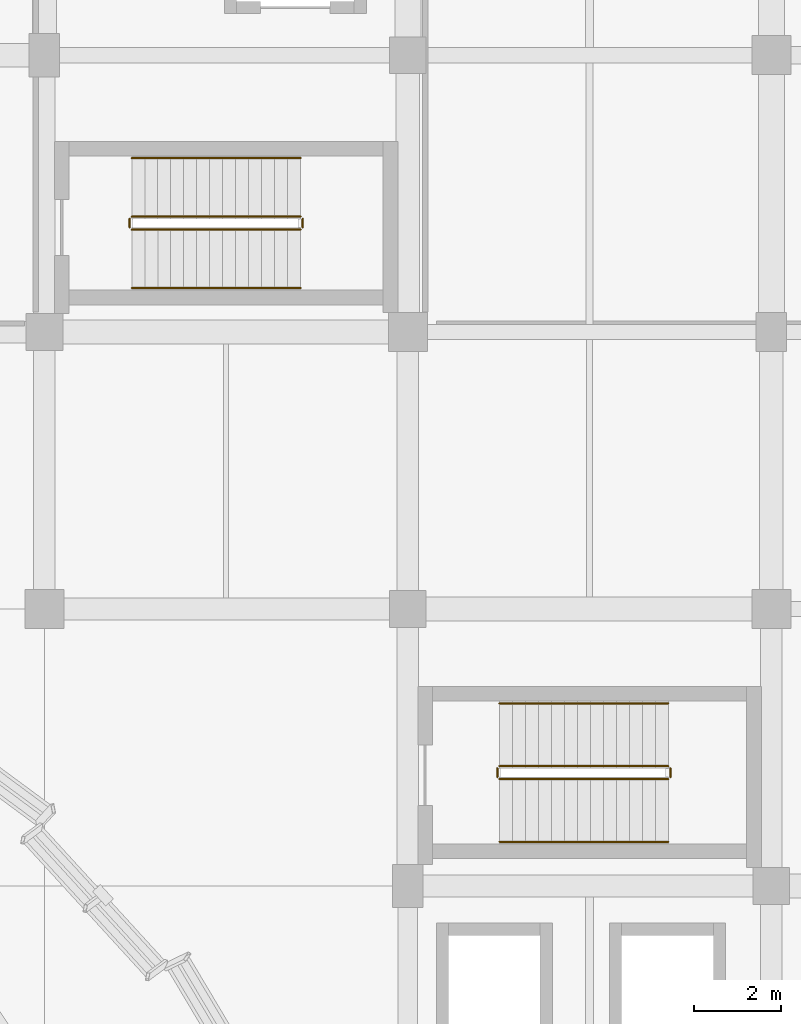
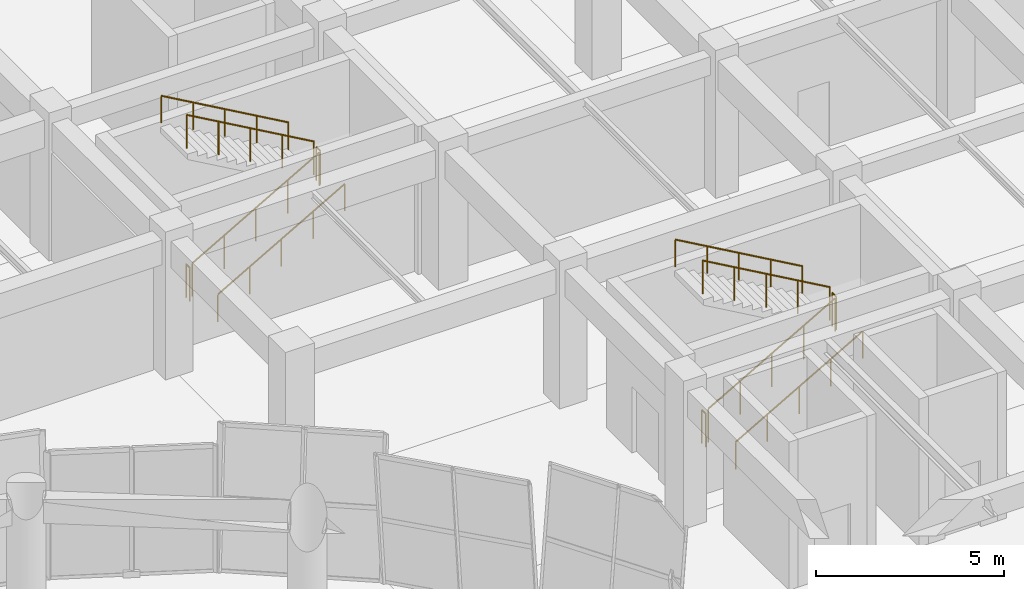
# One storey, part 69 of 72: 12 railings.
"""IFC4 building model written with IfcOpenShell, lengths in metres."""

from ifc_helpers import new_model, si_unit, direction, frame, origin, origin_2d, place, context, subcontext, project, spatial, circle, extrude, material, type_object, element, save


model = new_model("IFC4")

# Units and contexts
model_context = context("Model", 3, precision=1e-05, world=origin(), true_north=direction((0.0, 1.0)))
body_context = subcontext(model_context, "Body", "Model", "MODEL_VIEW")
ifc_project = project(units=[si_unit("LENGTHUNIT", "METRE"), si_unit("AREAUNIT", "SQUARE_METRE"), si_unit("VOLUMEUNIT", "CUBIC_METRE"), si_unit("PLANEANGLEUNIT", "RADIAN"), si_unit("MASSUNIT", "GRAM", prefix="KILO")], contexts=[model_context])

# Site, building, storey
site_placement = place(None, origin())
site = spatial("IfcSite", under=ifc_project, at=site_placement, CompositionType="ELEMENT")
building_placement = place(site_placement, origin())
building = spatial("IfcBuilding", under=site, at=building_placement, Name="Korsvaeld Concert Hall", CompositionType="ELEMENT")
storey_placement = place(building_placement, origin())
storey = spatial("IfcBuildingStorey", under=building, at=storey_placement, Name="L00", CompositionType="ELEMENT", Elevation=0.0)

# Railings
ifc_material_1 = material(Name="Powder-coated steel and bronze stair guardrail", Category="steel")
railing_type_1 = type_object("IfcRailingType", Name="RL-STAIR-GUARD-120", PredefinedType="GUARDRAIL", material=ifc_material_1)
railing_1_placement = place(storey_placement, frame((111.320068359375, 79.27001953125, 0.17138671875)))
element("IfcRailing", 1, at=railing_1_placement, inside=storey, type_object=railing_type_1, Name="L00 ST-K2 stair guard 1", PredefinedType="GUARDRAIL", context=body_context, shape_type="SweptSolid", body=[
    extrude(circle(Radius=0.02392578125, at=origin_2d()), frame((0.0, 0.0, 1.076171875), z_axis=(0.868243142124, 0.0, 0.496138938357), x_axis=(0.0, 1.0, 0.0)), (0.0, 0.0, 1.0), 4.49169921875),
    extrude(circle(Radius=0.02099609375, at=origin_2d()), origin(), (0.0, 0.0, 1.0), 1.052001953125),
    extrude(circle(Radius=0.02099609375, at=origin_2d()), frame((0.97509765625, 0.0, 0.55712890625)), (0.0, 0.0, 1.0), 1.052001953125),
    extrude(circle(Radius=0.02099609375, at=origin_2d()), frame((1.949951171875, 0.0, 1.1142578125)), (0.0, 0.0, 1.0), 1.052001953125),
    extrude(circle(Radius=0.02099609375, at=origin_2d()), frame((2.9248046875, 0.0, 1.67138671875)), (0.0, 0.0, 1.0), 1.052001953125),
    extrude(circle(Radius=0.02099609375, at=origin_2d()), frame((3.89990234375, 0.0, 2.228515625)), (0.0, 0.0, 1.0), 1.052001953125),
])
railing_2_placement = place(storey_placement, frame((115.27001953125, 79.320068359375, 2.39990234375)))
element("IfcRailing", 2, at=railing_2_placement, inside=storey, type_object=railing_type_1, Name="L00 ST-K2 stair guard 2", PredefinedType="GUARDRAIL", context=body_context, shape_type="SweptSolid", body=[
    extrude(circle(Radius=0.02392578125, at=origin_2d()), frame((0.0, 0.0, 1.076171875), z_axis=(0.0, 1.0, 0.0), x_axis=(-1.0, 0.0, 0.0)), (0.0, 0.0, 1.0), 0.199951171875),
    extrude(circle(Radius=0.02099609375, at=origin_2d()), origin(), (0.0, 0.0, 1.0), 1.052001953125),
    extrude(circle(Radius=0.02099609375, at=origin_2d()), frame((0.0, 0.199951171875, 0.0)), (0.0, 0.0, 1.0), 1.052001953125),
])
railing_3_placement = place(storey_placement, frame((115.219970703125, 79.570068359375, 2.571533203125)))
element("IfcRailing", 3, at=railing_3_placement, inside=storey, type_object=railing_type_1, Name="L00 ST-K2 stair guard 3", PredefinedType="GUARDRAIL", context=body_context, shape_type="SweptSolid", body=[
    extrude(circle(Radius=0.02392578125, at=origin_2d()), frame((0.0, 0.0, 1.076171875), z_axis=(-0.868243142124, 0.0, 0.496138938357), x_axis=(0.0, -1.0, 0.0)), (0.0, 0.0, 1.0), 4.49169921875),
    extrude(circle(Radius=0.02099609375, at=origin_2d()), origin(), (0.0, 0.0, 1.0), 1.052001953125),
    extrude(circle(Radius=0.02099609375, at=origin_2d()), frame((-0.97509765625, 0.0, 0.55712890625)), (0.0, 0.0, 1.0), 1.052001953125),
    extrude(circle(Radius=0.02099609375, at=origin_2d()), frame((-1.949951171875, 0.0, 1.1142578125)), (0.0, 0.0, 1.0), 1.052001953125),
    extrude(circle(Radius=0.02099609375, at=origin_2d()), frame((-2.9248046875, 0.0, 1.67138671875)), (0.0, 0.0, 1.0), 1.052001953125),
    extrude(circle(Radius=0.02099609375, at=origin_2d()), frame((-3.89990234375, 0.0, 2.228515625)), (0.0, 0.0, 1.0), 1.052001953125),
])
railing_4_placement = place(storey_placement, frame((111.27001953125, 79.320068359375, 0.0)))
element("IfcRailing", 4, at=railing_4_placement, inside=storey, type_object=railing_type_1, Name="L00 ST-K2 stair guard 4", PredefinedType="GUARDRAIL", context=body_context, shape_type="SweptSolid", body=[
    extrude(circle(Radius=0.02392578125, at=origin_2d()), frame((0.0, 0.0, 1.076171875), z_axis=(0.0, 1.0, 0.0), x_axis=(-1.0, 0.0, 0.0)), (0.0, 0.0, 1.0), 0.199951171875),
    extrude(circle(Radius=0.02099609375, at=origin_2d()), origin(), (0.0, 0.0, 1.0), 1.052001953125),
    extrude(circle(Radius=0.02099609375, at=origin_2d()), frame((0.0, 0.199951171875, 0.0)), (0.0, 0.0, 1.0), 1.052001953125),
])
railing_5_placement = place(storey_placement, frame((102.820068359375, 91.969970703125, 0.17138671875)))
element("IfcRailing", 5, at=railing_5_placement, inside=storey, type_object=railing_type_1, Name="L00 ST-K6 stair guard 1", PredefinedType="GUARDRAIL", context=body_context, shape_type="SweptSolid", body=[
    extrude(circle(Radius=0.02392578125, at=origin_2d()), frame((0.0, 0.0, 1.076171875), z_axis=(0.868243142124, 0.0, 0.496138938357), x_axis=(0.0, 1.0, 0.0)), (0.0, 0.0, 1.0), 4.49169921875),
    extrude(circle(Radius=0.02099609375, at=origin_2d()), origin(), (0.0, 0.0, 1.0), 1.052001953125),
    extrude(circle(Radius=0.02099609375, at=origin_2d()), frame((0.97509765625, 0.0, 0.55712890625)), (0.0, 0.0, 1.0), 1.052001953125),
    extrude(circle(Radius=0.02099609375, at=origin_2d()), frame((1.949951171875, 0.0, 1.1142578125)), (0.0, 0.0, 1.0), 1.052001953125),
    extrude(circle(Radius=0.02099609375, at=origin_2d()), frame((2.9248046875, 0.0, 1.67138671875)), (0.0, 0.0, 1.0), 1.052001953125),
    extrude(circle(Radius=0.02099609375, at=origin_2d()), frame((3.89990234375, 0.0, 2.228515625)), (0.0, 0.0, 1.0), 1.052001953125),
])
railing_6_placement = place(storey_placement, frame((106.77001953125, 92.02001953125, 2.39990234375)))
element("IfcRailing", 6, at=railing_6_placement, inside=storey, type_object=railing_type_1, Name="L00 ST-K6 stair guard 2", PredefinedType="GUARDRAIL", context=body_context, shape_type="SweptSolid", body=[
    extrude(circle(Radius=0.02392578125, at=origin_2d()), frame((0.0, 0.0, 1.076171875), z_axis=(0.0, 1.0, 0.0), x_axis=(-1.0, 0.0, 0.0)), (0.0, 0.0, 1.0), 0.199951171875),
    extrude(circle(Radius=0.02099609375, at=origin_2d()), origin(), (0.0, 0.0, 1.0), 1.052001953125),
    extrude(circle(Radius=0.02099609375, at=origin_2d()), frame((0.0, 0.199951171875, 0.0)), (0.0, 0.0, 1.0), 1.052001953125),
])
railing_7_placement = place(storey_placement, frame((106.719970703125, 92.27001953125, 2.571533203125)))
element("IfcRailing", 7, at=railing_7_placement, inside=storey, type_object=railing_type_1, Name="L00 ST-K6 stair guard 3", PredefinedType="GUARDRAIL", context=body_context, shape_type="SweptSolid", body=[
    extrude(circle(Radius=0.02392578125, at=origin_2d()), frame((0.0, 0.0, 1.076171875), z_axis=(-0.868243142124, 0.0, 0.496138938357), x_axis=(0.0, -1.0, 0.0)), (0.0, 0.0, 1.0), 4.49169921875),
    extrude(circle(Radius=0.02099609375, at=origin_2d()), origin(), (0.0, 0.0, 1.0), 1.052001953125),
    extrude(circle(Radius=0.02099609375, at=origin_2d()), frame((-0.97509765625, 0.0, 0.55712890625)), (0.0, 0.0, 1.0), 1.052001953125),
    extrude(circle(Radius=0.02099609375, at=origin_2d()), frame((-1.949951171875, 0.0, 1.1142578125)), (0.0, 0.0, 1.0), 1.052001953125),
    extrude(circle(Radius=0.02099609375, at=origin_2d()), frame((-2.9248046875, 0.0, 1.67138671875)), (0.0, 0.0, 1.0), 1.052001953125),
    extrude(circle(Radius=0.02099609375, at=origin_2d()), frame((-3.89990234375, 0.0, 2.228515625)), (0.0, 0.0, 1.0), 1.052001953125),
])
railing_8_placement = place(storey_placement, frame((102.77001953125, 92.02001953125, 0.0)))
element("IfcRailing", 8, at=railing_8_placement, inside=storey, type_object=railing_type_1, Name="L00 ST-K6 stair guard 4", PredefinedType="GUARDRAIL", context=body_context, shape_type="SweptSolid", body=[
    extrude(circle(Radius=0.02392578125, at=origin_2d()), frame((0.0, 0.0, 1.076171875), z_axis=(0.0, 1.0, 0.0), x_axis=(-1.0, 0.0, 0.0)), (0.0, 0.0, 1.0), 0.199951171875),
    extrude(circle(Radius=0.02099609375, at=origin_2d()), origin(), (0.0, 0.0, 1.0), 1.052001953125),
    extrude(circle(Radius=0.02099609375, at=origin_2d()), frame((0.0, 0.199951171875, 0.0)), (0.0, 0.0, 1.0), 1.052001953125),
])
ifc_material_2 = material(Name="European oak and bronze stair handrail")
railing_type_2 = type_object("IfcRailingType", Name="RL-STAIR-HAND-90", PredefinedType="HANDRAIL", material=ifc_material_2)
railing_9_placement = place(storey_placement, frame((111.320068359375, 77.820068359375, 0.17138671875)))
element("IfcRailing", 9, at=railing_9_placement, inside=storey, type_object=railing_type_2, Name="L00 ST-K2 stair handrail 1", PredefinedType="HANDRAIL", context=body_context, shape_type="SweptSolid", body=[
    extrude(circle(Radius=0.02392578125, at=origin_2d()), frame((0.0, 0.0, 0.8759765625), z_axis=(0.868243142124, 0.0, 0.496138938357), x_axis=(0.0, 1.0, 0.0)), (0.0, 0.0, 1.0), 4.49169921875),
    extrude(circle(Radius=0.02099609375, at=origin_2d()), origin(), (0.0, 0.0, 1.0), 0.851806640625),
    extrude(circle(Radius=0.02099609375, at=origin_2d()), frame((0.97509765625, 0.0, 0.55712890625)), (0.0, 0.0, 1.0), 0.851806640625),
    extrude(circle(Radius=0.02099609375, at=origin_2d()), frame((1.949951171875, 0.0, 1.1142578125)), (0.0, 0.0, 1.0), 0.851806640625),
    extrude(circle(Radius=0.02099609375, at=origin_2d()), frame((2.9248046875, 0.0, 1.67138671875)), (0.0, 0.0, 1.0), 0.851806640625),
    extrude(circle(Radius=0.02099609375, at=origin_2d()), frame((3.89990234375, 0.0, 2.228515625)), (0.0, 0.0, 1.0), 0.851806640625),
])
railing_10_placement = place(storey_placement, frame((115.219970703125, 81.02001953125, 2.571533203125)))
element("IfcRailing", 10, at=railing_10_placement, inside=storey, type_object=railing_type_2, Name="L00 ST-K2 stair handrail 2", PredefinedType="HANDRAIL", context=body_context, shape_type="SweptSolid", body=[
    extrude(circle(Radius=0.02392578125, at=origin_2d()), frame((0.0, 0.0, 0.8759765625), z_axis=(-0.868243142124, 0.0, 0.496138938357), x_axis=(0.0, -1.0, 0.0)), (0.0, 0.0, 1.0), 4.49169921875),
    extrude(circle(Radius=0.02099609375, at=origin_2d()), origin(), (0.0, 0.0, 1.0), 0.851806640625),
    extrude(circle(Radius=0.02099609375, at=origin_2d()), frame((-0.97509765625, 0.0, 0.55712890625)), (0.0, 0.0, 1.0), 0.851806640625),
    extrude(circle(Radius=0.02099609375, at=origin_2d()), frame((-1.949951171875, 0.0, 1.1142578125)), (0.0, 0.0, 1.0), 0.851806640625),
    extrude(circle(Radius=0.02099609375, at=origin_2d()), frame((-2.9248046875, 0.0, 1.67138671875)), (0.0, 0.0, 1.0), 0.851806640625),
    extrude(circle(Radius=0.02099609375, at=origin_2d()), frame((-3.89990234375, 0.0, 2.228515625)), (0.0, 0.0, 1.0), 0.851806640625),
])
railing_11_placement = place(storey_placement, frame((102.820068359375, 90.6201171875, 0.17138671875)))
element("IfcRailing", 11, at=railing_11_placement, inside=storey, type_object=railing_type_2, Name="L00 ST-K6 stair handrail 1", PredefinedType="HANDRAIL", context=body_context, shape_type="SweptSolid", body=[
    extrude(circle(Radius=0.02392578125, at=origin_2d()), frame((0.0, 0.0, 0.8759765625), z_axis=(0.868243142124, 0.0, 0.496138938357), x_axis=(0.0, 1.0, 0.0)), (0.0, 0.0, 1.0), 4.49169921875),
    extrude(circle(Radius=0.02099609375, at=origin_2d()), origin(), (0.0, 0.0, 1.0), 0.851806640625),
    extrude(circle(Radius=0.02099609375, at=origin_2d()), frame((0.97509765625, 0.0, 0.55712890625)), (0.0, 0.0, 1.0), 0.851806640625),
    extrude(circle(Radius=0.02099609375, at=origin_2d()), frame((1.949951171875, 0.0, 1.1142578125)), (0.0, 0.0, 1.0), 0.851806640625),
    extrude(circle(Radius=0.02099609375, at=origin_2d()), frame((2.9248046875, 0.0, 1.67138671875)), (0.0, 0.0, 1.0), 0.851806640625),
    extrude(circle(Radius=0.02099609375, at=origin_2d()), frame((3.89990234375, 0.0, 2.228515625)), (0.0, 0.0, 1.0), 0.851806640625),
])
railing_12_placement = place(storey_placement, frame((106.719970703125, 93.6201171875, 2.571533203125)))
element("IfcRailing", 12, at=railing_12_placement, inside=storey, type_object=railing_type_2, Name="L00 ST-K6 stair handrail 2", PredefinedType="HANDRAIL", context=body_context, shape_type="SweptSolid", body=[
    extrude(circle(Radius=0.02392578125, at=origin_2d()), frame((0.0, 0.0, 0.8759765625), z_axis=(-0.868243142124, 0.0, 0.496138938357), x_axis=(0.0, -1.0, 0.0)), (0.0, 0.0, 1.0), 4.49169921875),
    extrude(circle(Radius=0.02099609375, at=origin_2d()), origin(), (0.0, 0.0, 1.0), 0.851806640625),
    extrude(circle(Radius=0.02099609375, at=origin_2d()), frame((-0.97509765625, 0.0, 0.55712890625)), (0.0, 0.0, 1.0), 0.851806640625),
    extrude(circle(Radius=0.02099609375, at=origin_2d()), frame((-1.949951171875, 0.0, 1.1142578125)), (0.0, 0.0, 1.0), 0.851806640625),
    extrude(circle(Radius=0.02099609375, at=origin_2d()), frame((-2.9248046875, 0.0, 1.67138671875)), (0.0, 0.0, 1.0), 0.851806640625),
    extrude(circle(Radius=0.02099609375, at=origin_2d()), frame((-3.89990234375, 0.0, 2.228515625)), (0.0, 0.0, 1.0), 0.851806640625),
])

save(model, "model.ifc")
